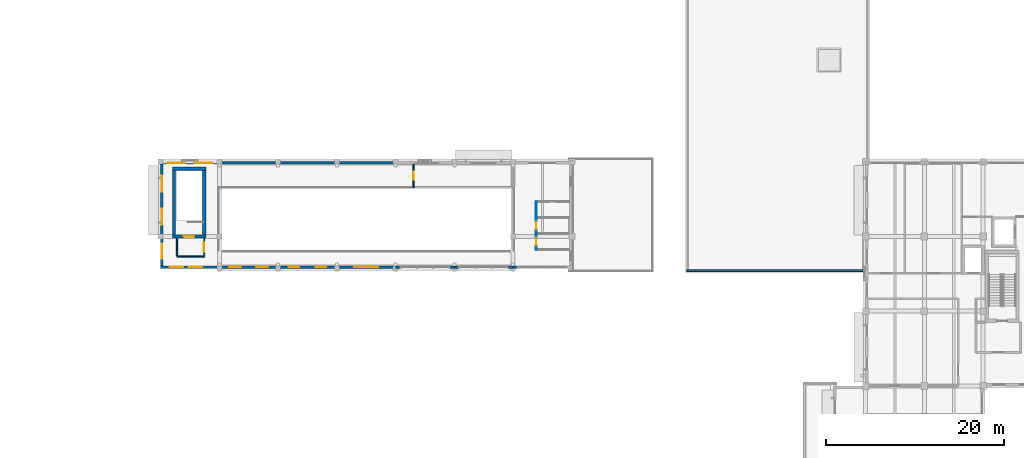
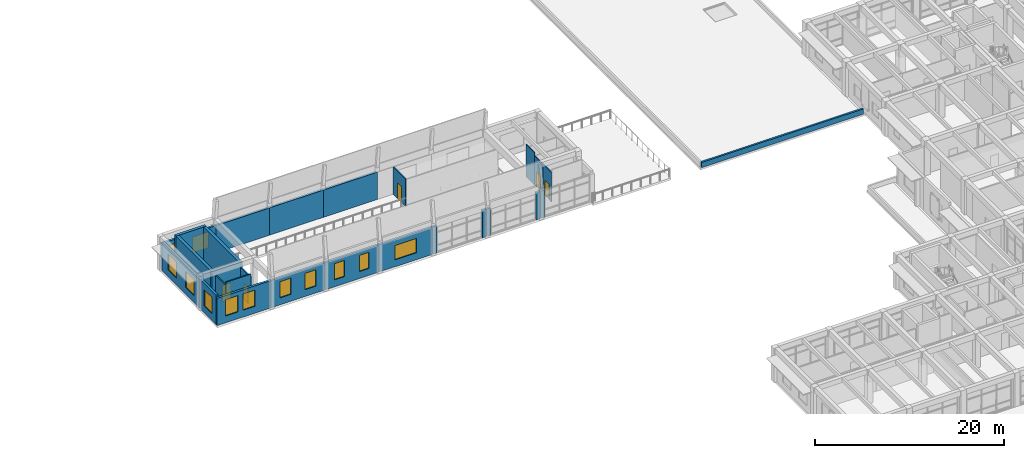
# One storey, part 30 of 50: 27 walls, 12 windows, 5 doors, 17 openings.
"""IFC4 building model written with IfcOpenShell, lengths in metres."""

from ifc_helpers import new_model, si_unit, direction, frame, frame_2d, origin, place, context, subcontext, project, spatial, rectangle, extrude, material, layer, layer_set, type_object, element, fill, save


model = new_model("IFC4")

# Units and contexts
model_context = context("Model", 3, precision=1e-05, world=origin(), true_north=direction((0.0, 1.0)))
body_context = subcontext(model_context, "Body", "Model", "MODEL_VIEW")
ifc_project = project(units=[si_unit("LENGTHUNIT", "METRE"), si_unit("AREAUNIT", "SQUARE_METRE"), si_unit("VOLUMEUNIT", "CUBIC_METRE"), si_unit("PLANEANGLEUNIT", "RADIAN"), si_unit("MASSUNIT", "GRAM", prefix="KILO")], contexts=[model_context])

# Site, building, storey
site_placement = place(None, origin())
site = spatial("IfcSite", under=ifc_project, at=site_placement, CompositionType="ELEMENT")
building_placement = place(site_placement, origin())
building = spatial("IfcBuilding", under=site, at=building_placement, Name="Kolvaren Faculty of Natural Sciences", CompositionType="ELEMENT")
storey_placement = place(building_placement, frame((0.0, 0.0, 15.0)))
storey = spatial("IfcBuildingStorey", under=building, at=storey_placement, Name="L03", CompositionType="ELEMENT", Elevation=15.0)

# Wall, opening, door
ifc_material_1 = material(Name="Acoustic mineral-wool insulated gypsum partition")
ifc_layer_1 = layer(ifc_material_1, 0.139892578125)
ifc_layer_set_1 = layer_set([ifc_layer_1], Name="Acoustic mineral-wool insulated gypsum partition")
wall_type_1 = type_object("IfcWallType", Name="CommonsPartitionWall_140", PredefinedType="PARTITIONING", material=ifc_layer_set_1)
wall_1_placement = place(storey_placement, frame((88.0, 81.280029296875, 0.0), z_axis=(0.0, 0.0, 1.0), x_axis=(0.0, 1.0, 0.0)))
wall_1 = element("IfcWall", 1, at=wall_1_placement, inside=storey, type_object=wall_type_1, Name="L03 interior partition PW-140", PredefinedType="PARTITIONING", context=body_context, shape_type="SweptSolid", body=[
    extrude(rectangle(XDim=2.637939453125, YDim=0.139892578125, at=frame_2d((1.31884765625, 0.0))), origin(), (0.0, 0.0, 1.0), 3.534912109375),
])
opening_1_placement = place(wall_1_placement, frame((0.868896484375, 0.0, 0.0)))
opening_1 = element("IfcOpeningElement", 2, at=opening_1_placement, cuts=wall_1, Name="Opening ID-06", PredefinedType="OPENING", context=body_context, shape_type="SweptSolid", body=[
    extrude(rectangle(XDim=0.89990234375, YDim=2.06005859375, at=frame_2d((0.449951171875, 1.030029296875))), frame((0.0, 0.079833984375, 0.0), z_axis=(0.0, -1.0, 0.0), x_axis=(1.0, 0.0, 0.0)), (0.0, 0.0, 1.0), 0.159912109375),
])
ifc_material_2 = material(Name="Solid-core hardwood veneer door leaf in steel frame", Category="steel")
door_type_1 = type_object("IfcDoorType", Name="InteriorRoomDoor_900x2060", OperationType="NOTDEFINED", PredefinedType="DOOR", material=ifc_material_2)
door_1_placement = place(opening_1_placement, origin())
door_1 = element("IfcDoor", 3, at=door_1_placement, inside=storey, type_object=door_type_1, Name="D-L03-0234", OperationType="SINGLE_SWING_LEFT", OverallHeight=2.06005859375, OverallWidth=0.89990234375, PredefinedType="DOOR", context=body_context, shape_type="SweptSolid", body=[
    extrude(rectangle(XDim=0.89990234375, YDim=2.06005859375, at=frame_2d((0.449951171875, 1.030029296875))), frame((0.0, 0.02490234375, 0.0), z_axis=(0.0, -1.0, 0.0), x_axis=(1.0, 0.0, 0.0)), (0.0, 0.0, 1.0), 0.050048828125),
])
fill(opening_1, door_1)

ifc_material_3 = material(Name="Concrete C40/50", Category="concrete")
ifc_layer_2 = layer(ifc_material_3, 0.35009765625)
ifc_layer_set_2 = layer_set([ifc_layer_2], Name="Concrete C40/50")
wall_type_2 = type_object("IfcWallType", Name="CoreShearWall_350", PredefinedType="SHEAR", material=ifc_layer_set_2)
wall_2_placement = place(storey_placement, frame((60.925048828125, 75.77490234375, 0.0), z_axis=(0.0, 0.0, 1.0), x_axis=(1.0, 0.0, 0.0)))
wall_2 = element("IfcWall", 4, at=wall_2_placement, inside=storey, type_object=wall_type_2, Name="L03 CORE-C6 stair shear wall S", PredefinedType="SHEAR", context=body_context, shape_type="SweptSolid", body=[
    extrude(rectangle(XDim=3.75, YDim=0.35009765625, at=frame_2d((1.875, 0.0))), origin(), (0.0, 0.0, 1.0), 4.43994140625),
])
opening_2_placement = place(wall_2_placement, frame((1.300048828125, 0.0, 0.0)))
opening_2 = element("IfcOpeningElement", 5, at=opening_2_placement, cuts=wall_2, Name="Opening FD90", PredefinedType="OPENING", context=body_context, shape_type="SweptSolid", body=[
    extrude(rectangle(XDim=1.14990234375, YDim=2.14990234375, at=frame_2d((0.574951171875, 1.074951171875))), frame((0.0, 0.18505859375, 0.0), z_axis=(0.0, -1.0, 0.0), x_axis=(1.0, 0.0, 0.0)), (0.0, 0.0, 1.0), 0.3701171875),
])
ifc_material_4 = material(Name="Fire-rated solid-core hardwood door leaf in steel frame", Category="steel")
door_type_2 = type_object("IfcDoorType", Name="StairCoreFireDoor_1150x2150", OperationType="NOTDEFINED", PredefinedType="DOOR", material=ifc_material_4)
door_2_placement = place(opening_2_placement, origin())
door_2 = element("IfcDoor", 6, at=door_2_placement, inside=storey, type_object=door_type_2, Name="D-ST-ST-6-L03", OperationType="SINGLE_SWING_LEFT", OverallHeight=2.14990234375, OverallWidth=1.14990234375, PredefinedType="DOOR", context=body_context, shape_type="SweptSolid", body=[
    extrude(rectangle(XDim=1.14990234375, YDim=2.14990234375, at=frame_2d((0.574951171875, 1.074951171875))), frame((0.0, 0.02490234375, 0.0), z_axis=(0.0, -1.0, 0.0), x_axis=(1.0, 0.0, 0.0)), (0.0, 0.0, 1.0), 0.050048828125),
])
fill(opening_2, door_2)

# Walls
wall_3_placement = place(storey_placement, frame((60.925048828125, 83.39990234375, 0.0), z_axis=(0.0, 0.0, 1.0), x_axis=(1.0, 0.0, 0.0)))
element("IfcWall", 7, at=wall_3_placement, inside=storey, type_object=wall_type_2, Name="L03 CORE-C6 stair shear wall N", PredefinedType="SHEAR", context=body_context, shape_type="SweptSolid", body=[
    extrude(rectangle(XDim=3.75, YDim=0.35009765625, at=frame_2d((1.875, 0.0))), origin(), (0.0, 0.0, 1.0), 4.43994140625),
])
for number, where, z_axis, x_axis, name in (
    (8, (61.10009765625, 75.949951171875, 0.0), (0.0, 0.0, 1.0), (0.0, 1.0, 0.0), "L03 CORE-C6 stair shear wall W"),
    (9, (64.5, 75.949951171875, 0.0), (0.0, 0.0, 1.0), (0.0, 1.0, 0.0), "L03 CORE-C6 stair shear wall E"),
):
    element("IfcWall", number, at=place(storey_placement, frame(where, z_axis=z_axis, x_axis=x_axis)), inside=storey, type_object=wall_type_2, Name=name, PredefinedType="SHEAR", context=body_context, shape_type="SweptSolid", body=[
        extrude(rectangle(XDim=7.275146484375, YDim=0.35009765625, at=frame_2d((3.6376953125, 0.0))), origin(), (0.0, 0.0, 1.0), 4.43994140625),
    ])
ifc_material_5 = material(Name="Precast concrete C35/45", Category="concrete")
ifc_layer_3 = layer(ifc_material_5, 0.280029296875)
ifc_layer_set_3 = layer_set([ifc_layer_3], Name="Precast concrete C35/45")
wall_type_3 = type_object("IfcWallType", Name="ExteriorPrecastWall_280", PredefinedType="STANDARD", material=ifc_layer_set_3)
for number, where, z_axis, x_axis, name in (
    (10, (99.719970703125, 72.340087890625, 0.0), (0.0, 0.0, 1.0), (-1.0, 0.0, 0.0), "L03 curtain-wall pier stub 562"),
    (11, (99.199951171875, 72.340087890625, 0.0), (0.0, 0.0, 1.0), (-1.0, 0.0, 0.0), "L03 curtain-wall pier stub 563"),
    (12, (93.1201171875, 72.340087890625, 0.0), (0.0, 0.0, 1.0), (-1.0, 0.0, 0.0), "L03 curtain-wall pier stub 564"),
    (13, (92.60009765625, 72.340087890625, 0.0), (0.0, 0.0, 1.0), (-1.0, 0.0, 0.0), "L03 curtain-wall pier stub 565"),
    (14, (86.52001953125, 72.340087890625, 0.0), (0.0, 0.0, 1.0), (-1.0, 0.0, 0.0), "L03 curtain-wall pier stub 566"),
):
    element("IfcWall", number, at=place(storey_placement, frame(where, z_axis=z_axis, x_axis=x_axis)), inside=storey, type_object=wall_type_3, Name=name, PredefinedType="STANDARD", context=body_context, shape_type="SweptSolid", body=[
        extrude(rectangle(XDim=0.52001953125, YDim=0.280029296875, at=frame_2d((0.260009765625, 0.0))), origin(), (0.0, 0.0, 1.0), 3.534912109375),
    ])

# Wall, opening, window
wall_4_placement = place(storey_placement, frame((86.0, 72.340087890625, 0.0), z_axis=(0.0, 0.0, 1.0), x_axis=(-1.0, 0.0, 0.0)))
wall_4 = element("IfcWall", 15, at=wall_4_placement, inside=storey, type_object=wall_type_3, Name="L03 exterior masonry wall EW-280 (567)", PredefinedType="STANDARD", context=body_context, shape_type="SweptSolid", body=[
    extrude(rectangle(XDim=6.60009765625, YDim=0.280029296875, at=frame_2d((3.300048828125, 0.0))), origin(), (0.0, 0.0, 1.0), 3.534912109375),
])
opening_3_placement = place(wall_4_placement, frame((1.97509765625, 0.0, 0.89990234375)))
opening_3 = element("IfcOpeningElement", 16, at=opening_3_placement, cuts=wall_4, Name="Opening WIN-24", PredefinedType="OPENING", context=body_context, shape_type="SweptSolid", body=[
    extrude(rectangle(XDim=2.64990234375, YDim=1.85009765625, at=frame_2d((1.324951171875, 0.925048828125))), frame((0.0, 0.14990234375, 0.0), z_axis=(0.0, -1.0, 0.0), x_axis=(1.0, 0.0, 0.0)), (0.0, 0.0, 1.0), 0.300048828125),
])
ifc_material_6 = material(Name="Double low-E solar control insulated glazing", Category="glass")
window_type_1 = type_object("IfcWindowType", Name="AluWindow_WIN24_2650x1850", PartitioningType="SINGLE_PANEL", PredefinedType="WINDOW", material=ifc_material_6)
window_1_placement = place(opening_3_placement, origin())
window_1 = element("IfcWindow", 17, at=window_1_placement, inside=storey, type_object=window_type_1, Name="WIN-L03-0339", OverallHeight=1.85009765625, OverallWidth=2.64990234375, PartitioningType="SINGLE_PANEL", PredefinedType="WINDOW", context=body_context, shape_type="SweptSolid", body=[
    extrude(rectangle(XDim=2.64990234375, YDim=1.85009765625, at=frame_2d((1.324951171875, 0.925048828125))), frame((0.0, 0.030029296875, 0.0), z_axis=(0.0, -1.0, 0.0), x_axis=(1.0, 0.0, 0.0)), (0.0, 0.0, 1.0), 0.06005859375),
])
fill(opening_3, window_1)

# Wall, openings, windows
wall_5_placement = place(storey_placement, frame((79.39990234375, 72.340087890625, 0.0), z_axis=(0.0, 0.0, 1.0), x_axis=(-1.0, 0.0, 0.0)))
wall_5 = element("IfcWall", 18, at=wall_5_placement, inside=storey, type_object=wall_type_3, Name="L03 exterior masonry wall EW-280 (568)", PredefinedType="STANDARD", context=body_context, shape_type="SweptSolid", body=[
    extrude(rectangle(XDim=6.599853515625, YDim=0.280029296875, at=frame_2d((3.2998046875, 0.0))), origin(), (0.0, 0.0, 1.0), 3.534912109375),
])
opening_4_placement = place(wall_5_placement, frame((1.181884765625, 0.0, 0.89990234375)))
opening_4 = element("IfcOpeningElement", 19, at=opening_4_placement, cuts=wall_5, Name="Opening WIN-01", PredefinedType="OPENING", context=body_context, shape_type="SweptSolid", body=[
    extrude(rectangle(XDim=1.199951171875, YDim=2.10009765625, at=frame_2d((0.60009765625, 1.050048828125))), frame((0.0, 0.14990234375, 0.0), z_axis=(0.0, -1.0, 0.0), x_axis=(1.0, 0.0, 0.0)), (0.0, 0.0, 1.0), 0.300048828125),
])
opening_5_placement = place(wall_5_placement, frame((4.218017578125, 0.0, 0.89990234375)))
opening_5 = element("IfcOpeningElement", 20, at=opening_5_placement, cuts=wall_5, Name="Opening WIN-01", PredefinedType="OPENING", context=body_context, shape_type="SweptSolid", body=[
    extrude(rectangle(XDim=1.199951171875, YDim=2.10009765625, at=frame_2d((0.60009765625, 1.050048828125))), frame((0.0, 0.14990234375, 0.0), z_axis=(0.0, -1.0, 0.0), x_axis=(1.0, 0.0, 0.0)), (0.0, 0.0, 1.0), 0.300048828125),
])
window_type_2 = type_object("IfcWindowType", Name="AluWindow_WIN01_1200x2100", PartitioningType="SINGLE_PANEL", PredefinedType="WINDOW", material=ifc_material_6)
window_2_placement = place(opening_4_placement, origin())
window_2 = element("IfcWindow", 21, at=window_2_placement, inside=storey, type_object=window_type_2, Name="WIN-L03-0340", OverallHeight=2.10009765625, OverallWidth=1.199951171875, PartitioningType="SINGLE_PANEL", PredefinedType="WINDOW", context=body_context, shape_type="SweptSolid", body=[
    extrude(rectangle(XDim=1.199951171875, YDim=2.10009765625, at=frame_2d((0.60009765625, 1.050048828125))), frame((0.0, 0.030029296875, 0.0), z_axis=(0.0, -1.0, 0.0), x_axis=(1.0, 0.0, 0.0)), (0.0, 0.0, 1.0), 0.06005859375),
])
fill(opening_4, window_2)
window_3_placement = place(opening_5_placement, origin())
window_3 = element("IfcWindow", 22, at=window_3_placement, inside=storey, type_object=window_type_2, Name="WIN-L03-0341", OverallHeight=2.10009765625, OverallWidth=1.199951171875, PartitioningType="SINGLE_PANEL", PredefinedType="WINDOW", context=body_context, shape_type="SweptSolid", body=[
    extrude(rectangle(XDim=1.199951171875, YDim=2.10009765625, at=frame_2d((0.60009765625, 1.050048828125))), frame((0.0, 0.030029296875, 0.0), z_axis=(0.0, -1.0, 0.0), x_axis=(1.0, 0.0, 0.0)), (0.0, 0.0, 1.0), 0.06005859375),
])
fill(opening_5, window_3)

wall_6_placement = place(storey_placement, frame((72.800048828125, 72.340087890625, 0.0), z_axis=(0.0, 0.0, 1.0), x_axis=(-1.0, 0.0, 0.0)))
wall_6 = element("IfcWall", 23, at=wall_6_placement, inside=storey, type_object=wall_type_3, Name="L03 exterior masonry wall EW-280 (569)", PredefinedType="STANDARD", context=body_context, shape_type="SweptSolid", body=[
    extrude(rectangle(XDim=6.60009765625, YDim=0.280029296875, at=frame_2d((3.300048828125, 0.0))), origin(), (0.0, 0.0, 1.0), 3.534912109375),
])
opening_6_placement = place(wall_6_placement, frame((1.10693359375, 0.0, 0.89990234375)))
opening_6 = element("IfcOpeningElement", 24, at=opening_6_placement, cuts=wall_6, Name="Opening WIN-02", PredefinedType="OPENING", context=body_context, shape_type="SweptSolid", body=[
    extrude(rectangle(XDim=1.35009765625, YDim=2.10009765625, at=frame_2d((0.675048828125, 1.050048828125))), frame((0.0, 0.14990234375, 0.0), z_axis=(0.0, -1.0, 0.0), x_axis=(1.0, 0.0, 0.0)), (0.0, 0.0, 1.0), 0.300048828125),
])
opening_7_placement = place(wall_6_placement, frame((4.14306640625, 0.0, 0.89990234375)))
opening_7 = element("IfcOpeningElement", 25, at=opening_7_placement, cuts=wall_6, Name="Opening WIN-02", PredefinedType="OPENING", context=body_context, shape_type="SweptSolid", body=[
    extrude(rectangle(XDim=1.35009765625, YDim=2.10009765625, at=frame_2d((0.675048828125, 1.050048828125))), frame((0.0, 0.14990234375, 0.0), z_axis=(0.0, -1.0, 0.0), x_axis=(1.0, 0.0, 0.0)), (0.0, 0.0, 1.0), 0.300048828125),
])
window_type_3 = type_object("IfcWindowType", Name="AluWindow_WIN02_1350x2100", PartitioningType="SINGLE_PANEL", PredefinedType="WINDOW", material=ifc_material_6)
window_4_placement = place(opening_6_placement, origin())
window_4 = element("IfcWindow", 26, at=window_4_placement, inside=storey, type_object=window_type_3, Name="WIN-L03-0342", OverallHeight=2.10009765625, OverallWidth=1.35009765625, PartitioningType="SINGLE_PANEL", PredefinedType="WINDOW", context=body_context, shape_type="SweptSolid", body=[
    extrude(rectangle(XDim=1.35009765625, YDim=2.10009765625, at=frame_2d((0.675048828125, 1.050048828125))), frame((0.0, 0.030029296875, 0.0), z_axis=(0.0, -1.0, 0.0), x_axis=(1.0, 0.0, 0.0)), (0.0, 0.0, 1.0), 0.06005859375),
])
fill(opening_6, window_4)
window_5_placement = place(opening_7_placement, origin())
window_5 = element("IfcWindow", 27, at=window_5_placement, inside=storey, type_object=window_type_3, Name="WIN-L03-0343", OverallHeight=2.10009765625, OverallWidth=1.35009765625, PartitioningType="SINGLE_PANEL", PredefinedType="WINDOW", context=body_context, shape_type="SweptSolid", body=[
    extrude(rectangle(XDim=1.35009765625, YDim=2.10009765625, at=frame_2d((0.675048828125, 1.050048828125))), frame((0.0, 0.030029296875, 0.0), z_axis=(0.0, -1.0, 0.0), x_axis=(1.0, 0.0, 0.0)), (0.0, 0.0, 1.0), 0.06005859375),
])
fill(opening_7, window_5)

wall_7_placement = place(storey_placement, frame((66.199951171875, 72.340087890625, 0.0), z_axis=(0.0, 0.0, 1.0), x_axis=(-1.0, 0.0, 0.0)))
wall_7 = element("IfcWall", 28, at=wall_7_placement, inside=storey, type_object=wall_type_3, Name="L03 exterior masonry wall EW-280 (570)", PredefinedType="STANDARD", context=body_context, shape_type="SweptSolid", body=[
    extrude(rectangle(XDim=6.599853515625, YDim=0.280029296875, at=frame_2d((3.2998046875, 0.0))), origin(), (0.0, 0.0, 1.0), 3.534912109375),
])
opening_8_placement = place(wall_7_placement, frame((1.93994140625, 0.0, 0.89990234375)))
opening_8 = element("IfcOpeningElement", 29, at=opening_8_placement, cuts=wall_7, Name="Opening WIN-03", PredefinedType="OPENING", context=body_context, shape_type="SweptSolid", body=[
    extrude(rectangle(XDim=1.5, YDim=2.10009765625, at=frame_2d((0.75, 1.050048828125))), frame((0.0, 0.14990234375, 0.0), z_axis=(0.0, -1.0, 0.0), x_axis=(1.0, 0.0, 0.0)), (0.0, 0.0, 1.0), 0.300048828125),
])
opening_9_placement = place(wall_7_placement, frame((4.068115234375, 0.0, 0.89990234375)))
opening_9 = element("IfcOpeningElement", 30, at=opening_9_placement, cuts=wall_7, Name="Opening WIN-03", PredefinedType="OPENING", context=body_context, shape_type="SweptSolid", body=[
    extrude(rectangle(XDim=1.5, YDim=2.10009765625, at=frame_2d((0.75, 1.050048828125))), frame((0.0, 0.14990234375, 0.0), z_axis=(0.0, -1.0, 0.0), x_axis=(1.0, 0.0, 0.0)), (0.0, 0.0, 1.0), 0.300048828125),
])
window_type_4 = type_object("IfcWindowType", Name="AluWindow_WIN03_1500x2100", PartitioningType="SINGLE_PANEL", PredefinedType="WINDOW", material=ifc_material_6)
window_6_placement = place(opening_8_placement, origin())
window_6 = element("IfcWindow", 31, at=window_6_placement, inside=storey, type_object=window_type_4, Name="WIN-L03-0344", OverallHeight=2.10009765625, OverallWidth=1.5, PartitioningType="SINGLE_PANEL", PredefinedType="WINDOW", context=body_context, shape_type="SweptSolid", body=[
    extrude(rectangle(XDim=1.5, YDim=2.10009765625, at=frame_2d((0.75, 1.050048828125))), frame((0.0, 0.030029296875, 0.0), z_axis=(0.0, -1.0, 0.0), x_axis=(1.0, 0.0, 0.0)), (0.0, 0.0, 1.0), 0.06005859375),
])
fill(opening_8, window_6)
window_7_placement = place(opening_9_placement, origin())
window_7 = element("IfcWindow", 32, at=window_7_placement, inside=storey, type_object=window_type_4, Name="WIN-L03-0345", OverallHeight=2.10009765625, OverallWidth=1.5, PartitioningType="SINGLE_PANEL", PredefinedType="WINDOW", context=body_context, shape_type="SweptSolid", body=[
    extrude(rectangle(XDim=1.5, YDim=2.10009765625, at=frame_2d((0.75, 1.050048828125))), frame((0.0, 0.030029296875, 0.0), z_axis=(0.0, -1.0, 0.0), x_axis=(1.0, 0.0, 0.0)), (0.0, 0.0, 1.0), 0.06005859375),
])
fill(opening_9, window_7)

# Wall, opening, window
wall_8_placement = place(storey_placement, frame((59.739990234375, 72.47998046875, 0.0), z_axis=(0.0, 0.0, 1.0), x_axis=(0.0, 1.0, 0.0)))
wall_8 = element("IfcWall", 33, at=wall_8_placement, inside=storey, type_object=wall_type_3, Name="L03 exterior masonry wall EW-280 (571)", PredefinedType="STANDARD", context=body_context, shape_type="SweptSolid", body=[
    extrude(rectangle(XDim=3.320068359375, YDim=0.280029296875, at=frame_2d((1.66015625, 0.0))), origin(), (0.0, 0.0, 1.0), 3.784912109375),
])
opening_10_placement = place(wall_8_placement, frame((0.8349609375, 0.0, 0.89990234375)))
opening_10 = element("IfcOpeningElement", 34, at=opening_10_placement, cuts=wall_8, Name="Opening WIN-04", PredefinedType="OPENING", context=body_context, shape_type="SweptSolid", body=[
    extrude(rectangle(XDim=1.64990234375, YDim=2.10009765625, at=frame_2d((0.824951171875, 1.050048828125))), frame((0.0, 0.14990234375, 0.0), z_axis=(0.0, -1.0, 0.0), x_axis=(1.0, 0.0, 0.0)), (0.0, 0.0, 1.0), 0.300048828125),
])
window_type_5 = type_object("IfcWindowType", Name="AluWindow_WIN04_1650x2100", PartitioningType="SINGLE_PANEL", PredefinedType="WINDOW", material=ifc_material_6)
window_8_placement = place(opening_10_placement, origin())
window_8 = element("IfcWindow", 35, at=window_8_placement, inside=storey, type_object=window_type_5, Name="WIN-L03-0346", OverallHeight=2.10009765625, OverallWidth=1.64990234375, PartitioningType="SINGLE_PANEL", PredefinedType="WINDOW", context=body_context, shape_type="SweptSolid", body=[
    extrude(rectangle(XDim=1.64990234375, YDim=2.10009765625, at=frame_2d((0.824951171875, 1.050048828125))), frame((0.0, 0.030029296875, 0.0), z_axis=(0.0, -1.0, 0.0), x_axis=(1.0, 0.0, 0.0)), (0.0, 0.0, 1.0), 0.06005859375),
])
fill(opening_10, window_8)

# Wall, openings, windows
wall_9_placement = place(storey_placement, frame((59.739990234375, 75.800048828125, 0.0), z_axis=(0.0, 0.0, 1.0), x_axis=(0.0, 1.0, 0.0)))
wall_9 = element("IfcWall", 36, at=wall_9_placement, inside=storey, type_object=wall_type_3, Name="L03 exterior masonry wall EW-280 (572)", PredefinedType="STANDARD", context=body_context, shape_type="SweptSolid", body=[
    extrude(rectangle(XDim=8.119873046875, YDim=0.280029296875, at=frame_2d((4.06005859375, 0.0))), origin(), (0.0, 0.0, 1.0), 3.784912109375),
])
opening_11_placement = place(wall_9_placement, frame((1.29248046875, 0.0, 0.89990234375)))
opening_11 = element("IfcOpeningElement", 37, at=opening_11_placement, cuts=wall_9, Name="Opening WIN-05", PredefinedType="OPENING", context=body_context, shape_type="SweptSolid", body=[
    extrude(rectangle(XDim=1.800048828125, YDim=2.10009765625, at=frame_2d((0.89990234375, 1.050048828125))), frame((0.0, 0.14990234375, 0.0), z_axis=(0.0, -1.0, 0.0), x_axis=(1.0, 0.0, 0.0)), (0.0, 0.0, 1.0), 0.300048828125),
])
opening_12_placement = place(wall_9_placement, frame((5.027587890625, 0.0, 0.89990234375)))
opening_12 = element("IfcOpeningElement", 38, at=opening_12_placement, cuts=wall_9, Name="Opening WIN-05", PredefinedType="OPENING", context=body_context, shape_type="SweptSolid", body=[
    extrude(rectangle(XDim=1.800048828125, YDim=2.10009765625, at=frame_2d((0.89990234375, 1.050048828125))), frame((0.0, 0.14990234375, 0.0), z_axis=(0.0, -1.0, 0.0), x_axis=(1.0, 0.0, 0.0)), (0.0, 0.0, 1.0), 0.300048828125),
])
window_type_6 = type_object("IfcWindowType", Name="AluWindow_WIN05_1800x2100", PartitioningType="SINGLE_PANEL", PredefinedType="WINDOW", material=ifc_material_6)
window_9_placement = place(opening_11_placement, origin())
window_9 = element("IfcWindow", 39, at=window_9_placement, inside=storey, type_object=window_type_6, Name="WIN-L03-0347", OverallHeight=2.10009765625, OverallWidth=1.800048828125, PartitioningType="SINGLE_PANEL", PredefinedType="WINDOW", context=body_context, shape_type="SweptSolid", body=[
    extrude(rectangle(XDim=1.800048828125, YDim=2.10009765625, at=frame_2d((0.89990234375, 1.050048828125))), frame((0.0, 0.030029296875, 0.0), z_axis=(0.0, -1.0, 0.0), x_axis=(1.0, 0.0, 0.0)), (0.0, 0.0, 1.0), 0.06005859375),
])
fill(opening_11, window_9)
window_10_placement = place(opening_12_placement, origin())
window_10 = element("IfcWindow", 40, at=window_10_placement, inside=storey, type_object=window_type_6, Name="WIN-L03-0348", OverallHeight=2.10009765625, OverallWidth=1.800048828125, PartitioningType="SINGLE_PANEL", PredefinedType="WINDOW", context=body_context, shape_type="SweptSolid", body=[
    extrude(rectangle(XDim=1.800048828125, YDim=2.10009765625, at=frame_2d((0.89990234375, 1.050048828125))), frame((0.0, 0.030029296875, 0.0), z_axis=(0.0, -1.0, 0.0), x_axis=(1.0, 0.0, 0.0)), (0.0, 0.0, 1.0), 0.06005859375),
])
fill(opening_12, window_10)

wall_10_placement = place(storey_placement, frame((59.60009765625, 84.06005859375, 0.0), z_axis=(0.0, 0.0, 1.0), x_axis=(1.0, 0.0, 0.0)))
wall_10 = element("IfcWall", 41, at=wall_10_placement, inside=storey, type_object=wall_type_3, Name="L03 exterior masonry wall EW-280 (573)", PredefinedType="STANDARD", context=body_context, shape_type="SweptSolid", body=[
    extrude(rectangle(XDim=6.599853515625, YDim=0.280029296875, at=frame_2d((3.2998046875, 0.0))), origin(), (0.0, 0.0, 1.0), 3.534912109375),
])
opening_13_placement = place(wall_10_placement, frame((0.806884765625, 0.0, 0.89990234375)))
opening_13 = element("IfcOpeningElement", 42, at=opening_13_placement, cuts=wall_10, Name="Opening WIN-06", PredefinedType="OPENING", context=body_context, shape_type="SweptSolid", body=[
    extrude(rectangle(XDim=1.949951171875, YDim=2.10009765625, at=frame_2d((0.97509765625, 1.050048828125))), frame((0.0, 0.14990234375, 0.0), z_axis=(0.0, -1.0, 0.0), x_axis=(1.0, 0.0, 0.0)), (0.0, 0.0, 1.0), 0.300048828125),
])
opening_14_placement = place(wall_10_placement, frame((3.843017578125, 0.0, 0.89990234375)))
opening_14 = element("IfcOpeningElement", 43, at=opening_14_placement, cuts=wall_10, Name="Opening WIN-06", PredefinedType="OPENING", context=body_context, shape_type="SweptSolid", body=[
    extrude(rectangle(XDim=1.949951171875, YDim=2.10009765625, at=frame_2d((0.97509765625, 1.050048828125))), frame((0.0, 0.14990234375, 0.0), z_axis=(0.0, -1.0, 0.0), x_axis=(1.0, 0.0, 0.0)), (0.0, 0.0, 1.0), 0.300048828125),
])
window_type_7 = type_object("IfcWindowType", Name="AluWindow_WIN06_1950x2100", PartitioningType="SINGLE_PANEL", PredefinedType="WINDOW", material=ifc_material_6)
window_11_placement = place(opening_13_placement, origin())
window_11 = element("IfcWindow", 44, at=window_11_placement, inside=storey, type_object=window_type_7, Name="WIN-L03-0349", OverallHeight=2.10009765625, OverallWidth=1.949951171875, PartitioningType="SINGLE_PANEL", PredefinedType="WINDOW", context=body_context, shape_type="SweptSolid", body=[
    extrude(rectangle(XDim=1.949951171875, YDim=2.10009765625, at=frame_2d((0.97509765625, 1.050048828125))), frame((0.0, 0.030029296875, 0.0), z_axis=(0.0, -1.0, 0.0), x_axis=(1.0, 0.0, 0.0)), (0.0, 0.0, 1.0), 0.06005859375),
])
fill(opening_13, window_11)
window_12_placement = place(opening_14_placement, origin())
window_12 = element("IfcWindow", 45, at=window_12_placement, inside=storey, type_object=window_type_7, Name="WIN-L03-0350", OverallHeight=2.10009765625, OverallWidth=1.949951171875, PartitioningType="SINGLE_PANEL", PredefinedType="WINDOW", context=body_context, shape_type="SweptSolid", body=[
    extrude(rectangle(XDim=1.949951171875, YDim=2.10009765625, at=frame_2d((0.97509765625, 1.050048828125))), frame((0.0, 0.030029296875, 0.0), z_axis=(0.0, -1.0, 0.0), x_axis=(1.0, 0.0, 0.0)), (0.0, 0.0, 1.0), 0.06005859375),
])
fill(opening_14, window_12)

# Walls
wall_11_placement = place(storey_placement, frame((66.199951171875, 84.06005859375, 0.0), z_axis=(0.0, 0.0, 1.0), x_axis=(1.0, 0.0, 0.0)))
element("IfcWall", 46, at=wall_11_placement, inside=storey, type_object=wall_type_3, Name="L03 exterior masonry wall EW-280 (574)", PredefinedType="STANDARD", context=body_context, shape_type="SweptSolid", body=[
    extrude(rectangle(XDim=6.60009765625, YDim=0.280029296875, at=frame_2d((3.300048828125, 0.0))), origin(), (0.0, 0.0, 1.0), 3.534912109375),
])
wall_12_placement = place(storey_placement, frame((72.800048828125, 84.06005859375, 0.0), z_axis=(0.0, 0.0, 1.0), x_axis=(1.0, 0.0, 0.0)))
element("IfcWall", 47, at=wall_12_placement, inside=storey, type_object=wall_type_3, Name="L03 exterior masonry wall EW-280 (575)", PredefinedType="STANDARD", context=body_context, shape_type="SweptSolid", body=[
    extrude(rectangle(XDim=6.599853515625, YDim=0.280029296875, at=frame_2d((3.2998046875, 0.0))), origin(), (0.0, 0.0, 1.0), 3.534912109375),
])
wall_13_placement = place(storey_placement, frame((79.39990234375, 84.06005859375, 0.0), z_axis=(0.0, 0.0, 1.0), x_axis=(1.0, 0.0, 0.0)))
element("IfcWall", 48, at=wall_13_placement, inside=storey, type_object=wall_type_3, Name="L03 exterior masonry wall EW-280 (576)", PredefinedType="STANDARD", context=body_context, shape_type="SweptSolid", body=[
    extrude(rectangle(XDim=6.60009765625, YDim=0.280029296875, at=frame_2d((3.300048828125, 0.0))), origin(), (0.0, 0.0, 1.0), 3.534912109375),
])
ifc_layer_4 = layer(ifc_material_5, 0.219970703125)
ifc_layer_set_4 = layer_set([ifc_layer_4], Name="Precast concrete C35/45")
wall_type_4 = type_object("IfcWallType", Name="ParapetUpstandWall_220", PredefinedType="PARAPET", material=ifc_layer_set_4)
wall_14_placement = place(storey_placement, frame((138.550048828125, 71.919921875, 0.0), z_axis=(0.0, 0.0, 1.0), x_axis=(-1.0, 0.0, 0.0)))
element("IfcWall", 49, at=wall_14_placement, inside=storey, type_object=wall_type_4, Name="L03 architectural sandstone roof parapet 46", PredefinedType="PARAPET", context=body_context, shape_type="SweptSolid", body=[
    extrude(rectangle(XDim=19.830078125, YDim=0.219970703125, at=frame_2d((9.9150390625, 0.0))), origin(), (0.0, 0.0, 1.0), 0.679931640625),
])

# Wall, opening, door
ifc_material_7 = material(Name="Double fire-rated gypsum board on 100 mm steel stud", Category="steel")
ifc_layer_5 = layer(ifc_material_7, 0.14990234375)
ifc_layer_set_5 = layer_set([ifc_layer_5], Name="Double fire-rated gypsum board on 100 mm steel stud")
wall_type_5 = type_object("IfcWallType", Name="RatedCorridorWall_150", PredefinedType="PARTITIONING", material=ifc_layer_set_5)
wall_15_placement = place(storey_placement, frame((64.5, 75.597900390625, 0.0), z_axis=(0.0, 0.0, 1.0), x_axis=(0.0, -1.0, 0.0)))
wall_15 = element("IfcWall", 50, at=wall_15_placement, inside=storey, type_object=wall_type_5, Name="L03 interior partition LW-150", PredefinedType="PARTITIONING", context=body_context, shape_type="SweptSolid", body=[
    extrude(rectangle(XDim=2.0478515625, YDim=0.14990234375, at=frame_2d((1.02392578125, 0.0))), origin(), (0.0, 0.0, 1.0), 3.8349609375),
])
opening_15_placement = place(wall_15_placement, frame((0.52392578125, 0.0, 0.0)))
opening_15 = element("IfcOpeningElement", 51, at=opening_15_placement, cuts=wall_15, Name="Opening FD30", PredefinedType="OPENING", context=body_context, shape_type="SweptSolid", body=[
    extrude(rectangle(XDim=1.0, YDim=2.10009765625, at=frame_2d((0.5, 1.050048828125))), frame((0.0, 0.0849609375, 0.0), z_axis=(0.0, -1.0, 0.0), x_axis=(1.0, 0.0, 0.0)), (0.0, 0.0, 1.0), 0.169921875),
])
door_type_3 = type_object("IfcDoorType", Name="CorridorFireDoor_1000x2100", OperationType="NOTDEFINED", PredefinedType="DOOR", material=ifc_material_4)
door_3_placement = place(opening_15_placement, origin())
door_3 = element("IfcDoor", 52, at=door_3_placement, inside=storey, type_object=door_type_3, Name="D-L03-0226", OperationType="SINGLE_SWING_LEFT", OverallHeight=2.10009765625, OverallWidth=1.0, PredefinedType="DOOR", context=body_context, shape_type="SweptSolid", body=[
    extrude(rectangle(XDim=1.0, YDim=2.10009765625, at=frame_2d((0.5, 1.050048828125))), frame((0.0, 0.02490234375, 0.0), z_axis=(0.0, -1.0, 0.0), x_axis=(1.0, 0.0, 0.0)), (0.0, 0.0, 1.0), 0.050048828125),
])
fill(opening_15, door_3)

# Walls
wall_16_placement = place(storey_placement, frame((64.5, 73.550048828125, 0.0), z_axis=(0.0, 0.0, 1.0), x_axis=(-1.0, 0.0, 0.0)))
element("IfcWall", 53, at=wall_16_placement, inside=storey, type_object=wall_type_5, Name="L03 interior partition LW-150", PredefinedType="PARTITIONING", context=body_context, shape_type="SweptSolid", body=[
    extrude(rectangle(XDim=3.050048828125, YDim=0.14990234375, at=frame_2d((1.52490234375, 0.0))), origin(), (0.0, 0.0, 1.0), 4.195068359375),
])
wall_17_placement = place(storey_placement, frame((61.449951171875, 73.550048828125, 0.0), z_axis=(0.0, 0.0, 1.0), x_axis=(0.0, 1.0, 0.0)))
element("IfcWall", 54, at=wall_17_placement, inside=storey, type_object=wall_type_5, Name="L03 interior partition LW-150", PredefinedType="PARTITIONING", context=body_context, shape_type="SweptSolid", body=[
    extrude(rectangle(XDim=2.0478515625, YDim=0.14990234375, at=frame_2d((1.02392578125, 0.0))), origin(), (0.0, 0.0, 1.0), 3.8349609375),
])

# Wall, opening, door
ifc_layer_6 = layer(ifc_material_1, 0.10498046875)
ifc_layer_set_6 = layer_set([ifc_layer_6], Name="Acoustic mineral-wool insulated gypsum partition")
wall_type_6 = type_object("IfcWallType", Name="WetRoomPartition_105", PredefinedType="PARTITIONING", material=ifc_layer_set_6)
wall_18_placement = place(storey_placement, frame((101.800048828125, 74.300048828125, 0.0), z_axis=(0.0, 0.0, 1.0), x_axis=(0.0, 1.0, 0.0)))
wall_18 = element("IfcWall", 55, at=wall_18_placement, inside=storey, type_object=wall_type_6, Name="L03 interior partition PW-105", PredefinedType="PARTITIONING", context=body_context, shape_type="SweptSolid", body=[
    extrude(rectangle(XDim=1.800048828125, YDim=0.10498046875, at=frame_2d((0.89990234375, 0.0))), origin(), (0.0, 0.0, 1.0), 3.8349609375),
])
opening_16_placement = place(wall_18_placement, frame((0.449951171875, 0.0, 0.0)))
opening_16 = element("IfcOpeningElement", 56, at=opening_16_placement, cuts=wall_18, Name="Opening ID-01", PredefinedType="OPENING", context=body_context, shape_type="SweptSolid", body=[
    extrude(rectangle(XDim=0.89990234375, YDim=2.02001953125, at=frame_2d((0.449951171875, 1.010009765625))), frame((0.0, 0.0625, 0.0), z_axis=(0.0, -1.0, 0.0), x_axis=(1.0, 0.0, 0.0)), (0.0, 0.0, 1.0), 0.125),
])
door_type_4 = type_object("IfcDoorType", Name="InteriorRoomDoor_900x2020", OperationType="NOTDEFINED", PredefinedType="DOOR", material=ifc_material_2)
door_4_placement = place(opening_16_placement, origin())
door_4 = element("IfcDoor", 57, at=door_4_placement, inside=storey, type_object=door_type_4, Name="D-L03-0231", OperationType="SINGLE_SWING_RIGHT", OverallHeight=2.02001953125, OverallWidth=0.89990234375, PredefinedType="DOOR", context=body_context, shape_type="SweptSolid", body=[
    extrude(rectangle(XDim=0.89990234375, YDim=2.02001953125, at=frame_2d((0.449951171875, 1.010009765625))), frame((0.0, 0.02490234375, 0.0), z_axis=(0.0, -1.0, 0.0), x_axis=(1.0, 0.0, 0.0)), (0.0, 0.0, 1.0), 0.050048828125),
])
fill(opening_16, door_4)

wall_19_placement = place(storey_placement, frame((101.800048828125, 76.10009765625, 0.0), z_axis=(0.0, 0.0, 1.0), x_axis=(0.0, 1.0, 0.0)))
wall_19 = element("IfcWall", 58, at=wall_19_placement, inside=storey, type_object=wall_type_6, Name="L03 interior partition PW-105", PredefinedType="PARTITIONING", context=body_context, shape_type="SweptSolid", body=[
    extrude(rectangle(XDim=1.7998046875, YDim=0.10498046875, at=frame_2d((0.89990234375, 0.0))), origin(), (0.0, 0.0, 1.0), 3.8349609375),
])
opening_17_placement = place(wall_19_placement, frame((0.449951171875, 0.0, 0.0)))
opening_17 = element("IfcOpeningElement", 59, at=opening_17_placement, cuts=wall_19, Name="Opening ID-01", PredefinedType="OPENING", context=body_context, shape_type="SweptSolid", body=[
    extrude(rectangle(XDim=0.89990234375, YDim=2.02001953125, at=frame_2d((0.449951171875, 1.010009765625))), frame((0.0, 0.0625, 0.0), z_axis=(0.0, -1.0, 0.0), x_axis=(1.0, 0.0, 0.0)), (0.0, 0.0, 1.0), 0.125),
])
door_5_placement = place(opening_17_placement, origin())
door_5 = element("IfcDoor", 60, at=door_5_placement, inside=storey, type_object=door_type_4, Name="D-L03-0232", OperationType="SINGLE_SWING_LEFT", OverallHeight=2.02001953125, OverallWidth=0.89990234375, PredefinedType="DOOR", context=body_context, shape_type="SweptSolid", body=[
    extrude(rectangle(XDim=0.89990234375, YDim=2.02001953125, at=frame_2d((0.449951171875, 1.010009765625))), frame((0.0, 0.02490234375, 0.0), z_axis=(0.0, -1.0, 0.0), x_axis=(1.0, 0.0, 0.0)), (0.0, 0.0, 1.0), 0.050048828125),
])
fill(opening_17, door_5)

# Wall
wall_20_placement = place(storey_placement, frame((101.800048828125, 77.89990234375, 0.0), z_axis=(0.0, 0.0, 1.0), x_axis=(0.0, 1.0, 0.0)))
element("IfcWall", 61, at=wall_20_placement, inside=storey, type_object=wall_type_6, Name="L03 interior partition PW-105", PredefinedType="PARTITIONING", context=body_context, shape_type="SweptSolid", body=[
    extrude(rectangle(XDim=1.800048828125, YDim=0.10498046875, at=frame_2d((0.89990234375, 0.0))), origin(), (0.0, 0.0, 1.0), 4.195068359375),
])

save(model, "model.ifc")
